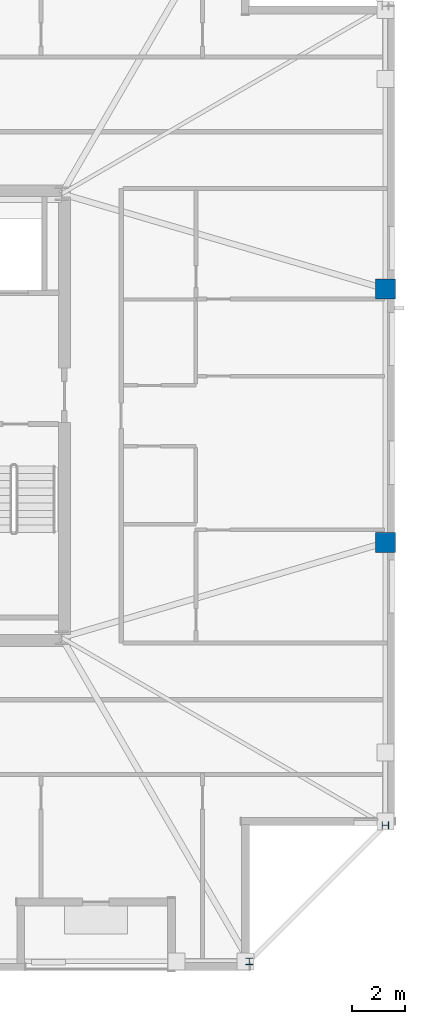
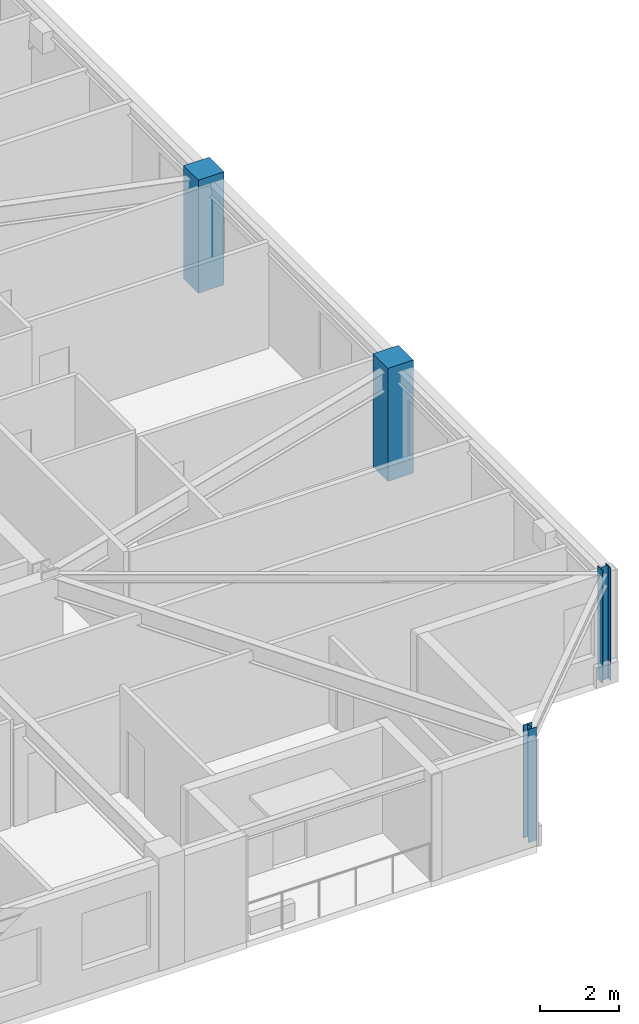
# One storey, part 3 of 15: 4 columns.
"""IFC4 building model written with IfcOpenShell, lengths in metres."""

from ifc_helpers import new_model, si_unit, direction, frame, origin, origin_2d, place, context, subcontext, project, spatial, rectangle, i_section, extrude, material, material_profile, profile_set, type_object, element, save


model = new_model("IFC4")

# Units and contexts
model_context = context("Model", 3, precision=1e-05, world=origin(), true_north=direction((0.0, 1.0)))
body_context = subcontext(model_context, "Body", "Model", "MODEL_VIEW")
ifc_project = project(units=[si_unit("LENGTHUNIT", "METRE"), si_unit("AREAUNIT", "SQUARE_METRE"), si_unit("VOLUMEUNIT", "CUBIC_METRE"), si_unit("PLANEANGLEUNIT", "RADIAN"), si_unit("MASSUNIT", "GRAM", prefix="KILO")], contexts=[model_context])

# Site, building, storey
site_placement = place(None, origin())
site = spatial("IfcSite", under=ifc_project, at=site_placement, CompositionType="ELEMENT")
building_placement = place(site_placement, origin())
building = spatial("IfcBuilding", under=site, at=building_placement, Name="Cairnveth Concourse Tower", CompositionType="ELEMENT")
storey_placement = place(building_placement, frame((0.0, 0.0, 287.5)))
storey = spatial("IfcBuildingStorey", under=building, at=storey_placement, Name="L79", CompositionType="ELEMENT", Elevation=287.5)

# Columns
ifc_material_1 = material(Name="Concrete N50 (50 MPa)", Category="concrete")
ifc_material_profile_1 = material_profile(ifc_material_1, rectangle(XDim=0.75, YDim=0.75, at=origin_2d()), Name="RC-COL-750x750")
ifc_profile_set_1 = profile_set([ifc_material_profile_1], Name="Concrete N50 (50 MPa)")
column_type_1 = type_object("IfcColumnType", Name="PERIMETER PIER COLUMN 750X750", PredefinedType="COLUMN", material=ifc_profile_set_1)
for number, where, z_axis, x_axis, name in (
    (1, (72.64990234375, 34.199951171875, 0.0), (0.0, 0.0, 1.0), (0.0, 1.0, 0.0), "Column P-E2 L79"),
    (2, (72.64990234375, 43.800048828125, 0.0), (0.0, 0.0, 1.0), (0.0, 1.0, 0.0), "Column P-E3 L79"),
):
    element("IfcColumn", number, at=place(storey_placement, frame(where, z_axis=z_axis, x_axis=x_axis)), inside=storey, type_object=column_type_1, Name=name, PredefinedType="COLUMN", context=body_context, shape_type="SweptSolid", body=[
        extrude(rectangle(XDim=0.75, YDim=0.75, at=origin_2d()), origin(), (0.0, 0.0, 1.0), 3.5),
    ])
ifc_material_2 = material(Name="Steel Grade 350", Category="steel")
ifc_material_profile_2 = material_profile(ifc_material_2, i_section(OverallWidth=0.25390625, OverallDepth=0.25390625, WebThickness=0.008544921875, FlangeThickness=0.01416015625, FilletRadius=0.012939453125, at=origin_2d()), Name="250UC72.9")
ifc_profile_set_2 = profile_set([ifc_material_profile_2], Name="Steel Grade 350")
column_type_2 = type_object("IfcColumnType", Name="UNIVERSAL STEEL COLUMN 250UC72.9", PredefinedType="COLUMN", material=ifc_profile_set_2)
for number, where, z_axis, x_axis, name in (
    (3, (67.5, 18.35009765625, 0.0), (0.0, 0.0, 1.0), (1.0, 0.0, 0.0), "Column P-S4 L79"),
    (4, (72.64990234375, 23.5, 0.0), (0.0, 0.0, 1.0), (0.0, 1.0, 0.0), "Column P-E1 L79"),
):
    element("IfcColumn", number, at=place(storey_placement, frame(where, z_axis=z_axis, x_axis=x_axis)), inside=storey, type_object=column_type_2, Name=name, PredefinedType="COLUMN", context=body_context, shape_type="SweptSolid", body=[
        extrude(i_section(OverallWidth=0.25390625, OverallDepth=0.25390625, WebThickness=0.008544921875, FlangeThickness=0.01416015625, FilletRadius=0.012939453125, at=origin_2d()), origin(), (0.0, 0.0, 1.0), 3.5),
    ])

save(model, "model.ifc")
